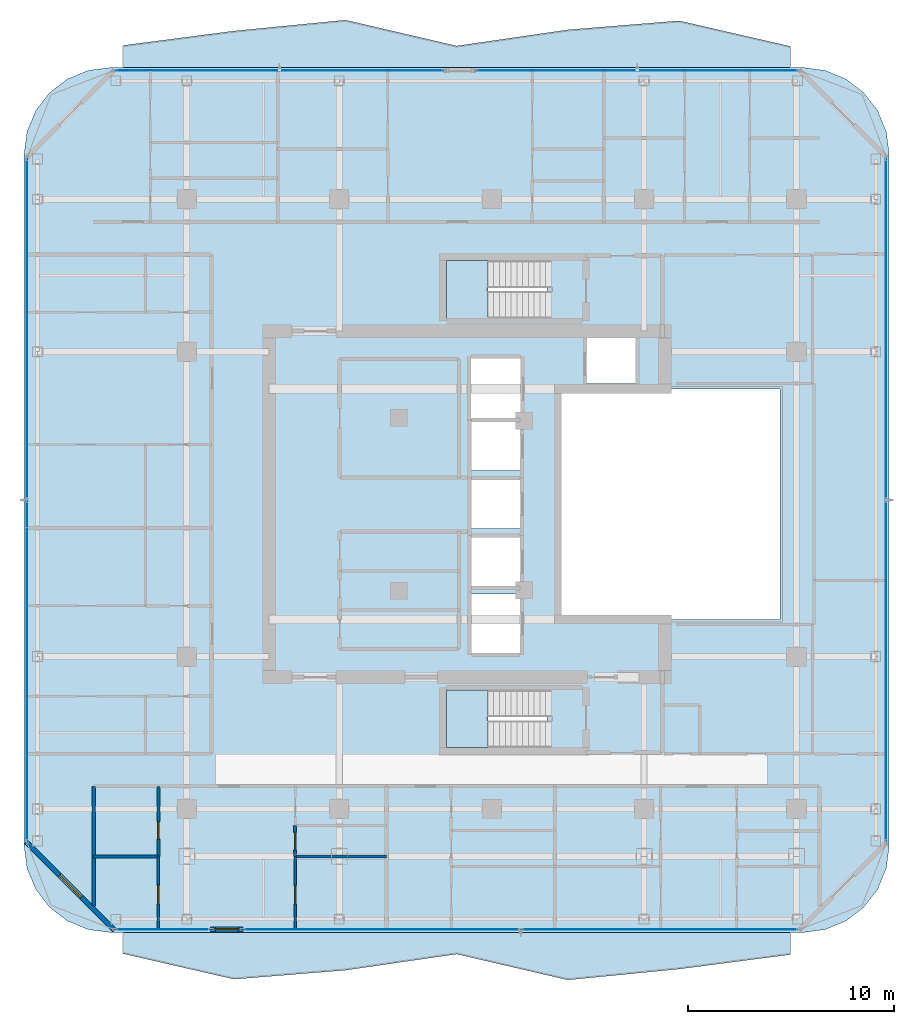
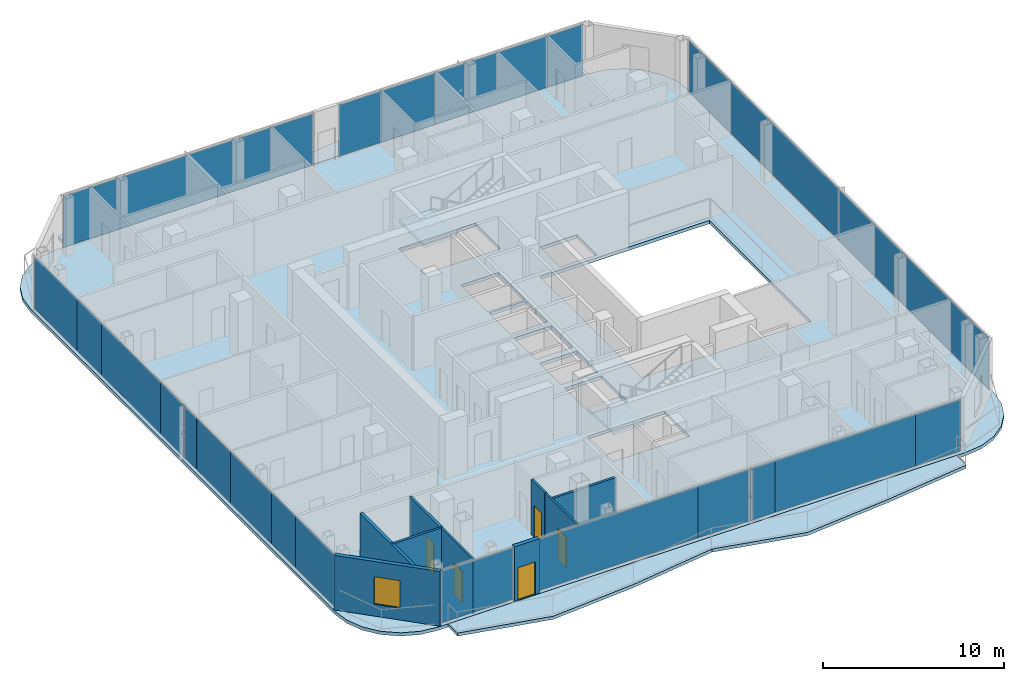
# One storey, part 16 of 26: 23 plates, 9 walls, 5 doors, 5 slabs, 1 window, 6 openings, 8 elements without a shape of their own.
"""IFC4 building model written with IfcOpenShell, lengths in metres."""

from ifc_helpers import new_model, si_unit, direction, frame, frame_2d, origin, origin_2d, place, context, subcontext, project, spatial, polyline, rectangle, outline, extrude, material, layer, layer_set, type_object, element, fill, aggregate, save


model = new_model("IFC4")

# Units and contexts
model_context = context("Model", 3, precision=1e-05, world=origin(), true_north=direction((0.0, 1.0)))
body_context = subcontext(model_context, "Body", "Model", "MODEL_VIEW")
ifc_project = project(units=[si_unit("LENGTHUNIT", "METRE"), si_unit("AREAUNIT", "SQUARE_METRE"), si_unit("VOLUMEUNIT", "CUBIC_METRE"), si_unit("PLANEANGLEUNIT", "RADIAN"), si_unit("MASSUNIT", "GRAM", prefix="KILO")], contexts=[model_context])

# Site, building, storey
site_placement = place(None, origin())
site = spatial("IfcSite", under=ifc_project, at=site_placement, CompositionType="ELEMENT")
building_placement = place(site_placement, origin())
building = spatial("IfcBuilding", under=site, at=building_placement, Name="Khorvyn Point Tower", CompositionType="ELEMENT")
storey_placement = place(building_placement, frame((0.0, 0.0, 289.800048828125)))
storey = spatial("IfcBuildingStorey", under=building, at=storey_placement, Name="L71", CompositionType="ELEMENT", Elevation=289.800048828125)

# Slabs
ifc_material_1 = material(Name="Concrete C35/45", Category="concrete")
ifc_layer_1 = layer(ifc_material_1, 0.219970703125)
ifc_layer_set_1 = layer_set([ifc_layer_1], Name="Concrete C35/45 Structural Floor Slab 220")
slab_type_1 = type_object("IfcSlabType", Name="Concrete C35/45 Structural Floor Slab 220", PredefinedType="FLOOR", material=ifc_layer_set_1)
slab_1_placement = place(storey_placement, frame((0.0, 0.0, -0.219970703125)))
element("IfcSlab", 1, at=slab_1_placement, inside=storey, type_object=slab_type_1, Name="L71 Main Structural Floor Slab", PredefinedType="FLOOR", context=body_context, shape_type="SweptSolid", body=[
    extrude(outline(polyline([(-18.5, -20.800048828125), (-19.5869140625, -20.656982421875), (-20.60009765625, -20.2373046875), (-21.4697265625, -19.56982421875), (-22.13720703125, -18.699951171875), (-22.556884765625, -17.68701171875), (-22.699951171875, -16.60009765625), (-22.699951171875, 17.0), (-22.556884765625, 18.0869140625), (-22.13720703125, 19.10009765625), (-21.4697265625, 19.9697265625), (-20.60009765625, 20.63720703125), (-19.5869140625, 21.056884765625), (-18.5, 21.199951171875), (15.10009765625, 21.199951171875), (16.18701171875, 21.056884765625), (17.199951171875, 20.63720703125), (18.06982421875, 19.9697265625), (18.7373046875, 19.10009765625), (19.156982421875, 18.0869140625), (19.300048828125, 17.0), (19.300048828125, -16.60009765625), (19.156982421875, -17.68701171875), (18.7373046875, -18.699951171875), (18.06982421875, -19.56982421875), (17.199951171875, -20.2373046875), (16.18701171875, -20.656982421875), (15.10009765625, -20.800048828125), (-18.5, -20.800048828125)]), holes=[polyline([(2.679931640625, -11.820068359375), (2.679931640625, -9.02001953125), (-2.199951171875, -9.02001953125), (-2.199951171875, -11.820068359375), (2.679931640625, -11.820068359375)]), polyline([(1.375, -7.22509765625), (1.375, -4.375), (-0.97509765625, -4.375), (-0.97509765625, -7.22509765625), (1.375, -7.22509765625)]), polyline([(1.375, -3.97509765625), (1.375, -1.625), (-0.97509765625, -1.625), (-0.97509765625, -3.97509765625), (1.375, -3.97509765625)]), polyline([(1.375, -1.175048828125), (1.375, 1.175048828125), (-0.97509765625, 1.175048828125), (-0.97509765625, -1.175048828125), (1.375, -1.175048828125)]), polyline([(14.0, -5.60009765625), (14.0, 5.60009765625), (3.199951171875, 5.60009765625), (3.199951171875, -5.60009765625), (14.0, -5.60009765625)]), polyline([(1.375, 1.625), (1.375, 3.97509765625), (-0.97509765625, 3.97509765625), (-0.97509765625, 1.625), (1.375, 1.625)]), polyline([(1.39990234375, 4.125), (1.39990234375, 7.074951171875), (-1.0, 7.074951171875), (-1.0, 4.125), (1.39990234375, 4.125)]), polyline([(4.625, 5.85009765625), (6.97509765625, 5.85009765625), (6.97509765625, 8.054931640625), (4.625, 8.054931640625), (4.625, 5.85009765625)]), polyline([(-2.199951171875, 9.02001953125), (2.679931640625, 9.02001953125), (2.679931640625, 11.820068359375), (-2.199951171875, 11.820068359375), (-2.199951171875, 9.02001953125)])]), origin(), (0.0, 0.0, 1.0), 0.219970703125),
])
ifc_material_2 = material(Name="Concrete C40/50", Category="concrete")
ifc_layer_2 = layer(ifc_material_2, 0.2099609375)
ifc_layer_set_2 = layer_set([ifc_layer_2], Name="Concrete C40/50 Rippling Balcony Slab 210")
slab_type_2 = type_object("IfcSlabType", Name="Concrete C40/50 Rippling Balcony Slab 210", PredefinedType="USERDEFINED", material=ifc_layer_set_2)
slab_2_placement = place(storey_placement, frame((0.0, 0.0, -0.2099609375)))
element("IfcSlab", 2, at=slab_2_placement, inside=storey, type_object=slab_type_2, Name="L71 North Sinusoidal Rippling Balcony", ObjectType="BALCONY", PredefinedType="USERDEFINED", context=body_context, shape_type="SweptSolid", body=[
    extrude(outline(polyline([(14.5, 21.199951171875), (14.5, 22.22802734375), (9.10009765625, 23.46875), (3.699951171875, 23.031005859375), (-1.699951171875, 22.247802734375), (-7.10009765625, 23.50390625), (-12.5, 22.974365234375), (-17.89990234375, 22.271484375), (-17.89990234375, 21.199951171875), (14.5, 21.199951171875)])), origin(), (0.0, 0.0, 1.0), 0.2099609375),
])
slab_3_placement = place(storey_placement, frame((0.0, 0.0, -0.2099609375)))
element("IfcSlab", 3, at=slab_3_placement, inside=storey, type_object=slab_type_2, Name="L71 South Sinusoidal Rippling Balcony", ObjectType="BALCONY", PredefinedType="USERDEFINED", context=body_context, shape_type="SweptSolid", body=[
    extrude(outline(polyline([(-17.89990234375, -20.800048828125), (-17.89990234375, -21.827880859375), (-12.5, -23.06884765625), (-7.10009765625, -22.630859375), (-1.699951171875, -21.84765625), (3.699951171875, -23.10400390625), (9.10009765625, -22.574462890625), (14.5, -21.87158203125), (14.5, -20.800048828125), (-17.89990234375, -20.800048828125)])), origin(), (0.0, 0.0, 1.0), 0.2099609375),
])

# Stair, slab
stair_type = type_object("IfcStairType", Name="Tower Concrete C40/50 Dogleg Exit Stair", PredefinedType="HALF_TURN_STAIR", material=ifc_material_2)
stair_1_placement = place(storey_placement, origin())
stair_1 = element("IfcStair", 4, at=stair_1_placement, inside=storey, type_object=stair_type, Name="L71 Tower Smokeproof Exit Stair South", PredefinedType="HALF_TURN_STAIR")
ifc_layer_3 = layer(ifc_material_2, 0.199951171875)
ifc_layer_set_3 = layer_set([ifc_layer_3], Name="Concrete C40/50 Stair Landing Slab 200")
slab_type_3 = type_object("IfcSlabType", Name="Concrete C40/50 Stair Landing Slab 200", PredefinedType="LANDING", material=ifc_layer_set_3)
slab_4_placement = place(storey_placement, frame((0.0, 0.0, 1.75)))
slab_4 = element("IfcSlab", 5, at=slab_4_placement, type_object=slab_type_3, Name="ST-01 landing 1", PredefinedType="LANDING", context=body_context, shape_type="SweptSolid", body=[
    extrude(outline(polyline([(-0.179931640625, -9.02001953125), (-2.199951171875, -9.02001953125), (-2.199951171875, -11.820068359375), (-0.179931640625, -11.820068359375), (-0.179931640625, -9.02001953125)])), origin(), (0.0, 0.0, 1.0), 0.199951171875),
])
aggregate(stair_1, [slab_4])

stair_2_placement = place(storey_placement, origin())
stair_2 = element("IfcStair", 6, at=stair_2_placement, inside=storey, type_object=stair_type, Name="L71 Tower Smokeproof Exit Stair North", PredefinedType="HALF_TURN_STAIR")
slab_5_placement = place(storey_placement, frame((0.0, 0.0, 1.75)))
slab_5 = element("IfcSlab", 7, at=slab_5_placement, type_object=slab_type_3, Name="ST-02 landing 1", PredefinedType="LANDING", context=body_context, shape_type="SweptSolid", body=[
    extrude(outline(polyline([(-0.179931640625, 11.820068359375), (-2.199951171875, 11.820068359375), (-2.199951171875, 9.02001953125), (-0.179931640625, 9.02001953125), (-0.179931640625, 11.820068359375)])), origin(), (0.0, 0.0, 1.0), 0.199951171875),
])
aggregate(stair_2, [slab_5])

# Curtain wall, plates
ifc_material_3 = material(Name="Anodised aluminium 6063-T6 and laminated Low-E glass", Category="aluminium")
ifc_layer_4 = layer(ifc_material_3, 0.18994140625)
ifc_layer_set_4 = layer_set([ifc_layer_4], Name="Stick-Built High-Wind Curtain Wall CW-SYS-04")
curtain_wall_type = type_object("IfcCurtainWallType", Name="Stick-Built High-Wind Curtain Wall CW-SYS-04", PredefinedType="NOTDEFINED", material=ifc_layer_set_4)
curtain_wall_1_placement = place(storey_placement, origin())
curtain_wall_1 = element("IfcCurtainWall", 8, at=curtain_wall_1_placement, inside=storey, type_object=curtain_wall_type, Name="Curtain Wall", PredefinedType="NOTDEFINED")
ifc_material_4 = material(Name="Laminated Low-E insulated glass", Category="glass")
ifc_layer_5 = layer(ifc_material_4, 0.028076171875)
ifc_layer_set_5 = layer_set([ifc_layer_5], Name="Tempered Low-E Vision Glazing Panel CW-GL28")
plate_type = type_object("IfcPlateType", Name="Tempered Low-E Vision Glazing Panel CW-GL28", PredefinedType="CURTAIN_PANEL", material=ifc_layer_set_5)
plate_1_placement = place(storey_placement, frame((2.22900390625, -20.64990234375, 0.099853515625), z_axis=(0.0, 0.0, 1.0), x_axis=(-1.0, 0.0, 0.0)))
plate_1 = element("IfcPlate", 9, at=plate_1_placement, type_object=plate_type, Name="Panel", PredefinedType="CURTAIN_PANEL", context=body_context, shape_type="SweptSolid", body=[
    extrude(rectangle(XDim=1.5400390625, YDim=0.028076171875, at=origin_2d()), origin(), (0.0, 0.0, 1.0), 3.47998046875),
])
plate_2_placement = place(storey_placement, frame((7.485595703125, -20.64990234375, 0.099853515625), z_axis=(0.0, 0.0, 1.0), x_axis=(-1.0, 0.0, 0.0)))
plate_2 = element("IfcPlate", 10, at=plate_2_placement, type_object=plate_type, Name="Panel", PredefinedType="CURTAIN_PANEL", context=body_context, shape_type="SweptSolid", body=[
    extrude(rectangle(XDim=8.95703125, YDim=0.028076171875, at=origin_2d()), origin(), (0.0, 0.0, 1.0), 3.47998046875),
])
plate_3_placement = place(storey_placement, frame((13.408935546875, -20.64990234375, 0.099853515625), z_axis=(0.0, 0.0, 1.0), x_axis=(-1.0, 0.0, 0.0)))
plate_3 = element("IfcPlate", 11, at=plate_3_placement, type_object=plate_type, Name="Panel", PredefinedType="CURTAIN_PANEL", context=body_context, shape_type="SweptSolid", body=[
    extrude(rectangle(XDim=2.8740234375, YDim=0.028076171875, at=origin_2d()), origin(), (0.0, 0.0, 1.0), 3.47998046875),
])
plate_4_placement = place(storey_placement, frame((-6.972412109375, -20.64990234375, 0.099853515625), z_axis=(0.0, 0.0, 1.0), x_axis=(-1.0, 0.0, 0.0)))
plate_4 = element("IfcPlate", 12, at=plate_4_placement, type_object=plate_type, Name="Panel", PredefinedType="CURTAIN_PANEL", context=body_context, shape_type="SweptSolid", body=[
    extrude(rectangle(XDim=10.126953125, YDim=0.028076171875, at=origin_2d()), origin(), (0.0, 0.0, 1.0), 3.47998046875),
])
plate_5_placement = place(storey_placement, frame((-0.27490234375, -20.64990234375, 0.099853515625), z_axis=(0.0, 0.0, 1.0), x_axis=(-1.0, 0.0, 0.0)))
plate_5 = element("IfcPlate", 13, at=plate_5_placement, type_object=plate_type, Name="Panel", PredefinedType="CURTAIN_PANEL", context=body_context, shape_type="SweptSolid", body=[
    extrude(rectangle(XDim=3.251953125, YDim=0.028076171875, at=origin_2d()), origin(), (0.0, 0.0, 1.0), 3.47998046875),
])
aggregate(curtain_wall_1, [plate_1, plate_2, plate_3, plate_4, plate_5])

curtain_wall_2_placement = place(storey_placement, origin())
curtain_wall_2 = element("IfcCurtainWall", 14, at=curtain_wall_2_placement, inside=storey, type_object=curtain_wall_type, Name="Curtain Wall", PredefinedType="NOTDEFINED")
plate_6_placement = place(storey_placement, frame((-17.244384765625, -20.64990234375, 0.099853515625), z_axis=(0.0, 0.0, 1.0), x_axis=(-1.0, 0.0, 0.0)))
plate_6 = element("IfcPlate", 15, at=plate_6_placement, type_object=plate_type, Name="Panel", PredefinedType="CURTAIN_PANEL", context=body_context, shape_type="SweptSolid", body=[
    extrude(rectangle(XDim=2.0029296875, YDim=0.028076171875, at=origin_2d()), origin(), (0.0, 0.0, 1.0), 3.47998046875),
])
plate_7_placement = place(storey_placement, frame((-14.95947265625, -20.64990234375, 0.099853515625), z_axis=(0.0, 0.0, 1.0), x_axis=(-1.0, 0.0, 0.0)))
plate_7 = element("IfcPlate", 16, at=plate_7_placement, type_object=plate_type, Name="Panel", PredefinedType="CURTAIN_PANEL", context=body_context, shape_type="SweptSolid", body=[
    extrude(rectangle(XDim=2.551025390625, YDim=0.028076171875, at=origin_2d()), origin(), (0.0, 0.0, 1.0), 3.47998046875),
])
aggregate(curtain_wall_2, [plate_6, plate_7])

# Curtain wall, plate
curtain_wall_3_placement = place(storey_placement, origin())
curtain_wall_3 = element("IfcCurtainWall", 17, at=curtain_wall_3_placement, inside=storey, type_object=curtain_wall_type, Name="Curtain Wall", PredefinedType="NOTDEFINED")
plate_8_placement = place(storey_placement, frame((-10.304931640625, 21.050048828125, 0.099853515625), z_axis=(0.0, 0.0, 1.0), x_axis=(1.0, 0.0, 0.0)))
plate_8 = element("IfcPlate", 18, at=plate_8_placement, type_object=plate_type, Name="Panel", PredefinedType="CURTAIN_PANEL", context=body_context, shape_type="SweptSolid", body=[
    extrude(rectangle(XDim=15.889892578125, YDim=0.028076171875, at=origin_2d()), origin(), (0.0, 0.0, 1.0), 3.47998046875),
])
aggregate(curtain_wall_3, [plate_8])

# Curtain wall, plates
curtain_wall_4_placement = place(storey_placement, origin())
curtain_wall_4 = element("IfcCurtainWall", 19, at=curtain_wall_4_placement, inside=storey, type_object=curtain_wall_type, Name="Curtain Wall", PredefinedType="NOTDEFINED")
plate_9_placement = place(storey_placement, frame((0.64990234375, 21.050048828125, 0.099853515625), z_axis=(0.0, 0.0, 1.0), x_axis=(1.0, 0.0, 0.0)))
plate_9 = element("IfcPlate", 20, at=plate_9_placement, type_object=plate_type, Name="Panel", PredefinedType="CURTAIN_PANEL", context=body_context, shape_type="SweptSolid", body=[
    extrude(rectangle(XDim=2.73193359375, YDim=0.028076171875, at=origin_2d()), origin(), (0.0, 0.0, 1.0), 3.47998046875),
])
plate_10_placement = place(storey_placement, frame((3.700927734375, 21.050048828125, 0.099853515625), z_axis=(0.0, 0.0, 1.0), x_axis=(1.0, 0.0, 0.0)))
plate_10 = element("IfcPlate", 21, at=plate_10_placement, type_object=plate_type, Name="Panel", PredefinedType="CURTAIN_PANEL", context=body_context, shape_type="SweptSolid", body=[
    extrude(rectangle(XDim=3.35400390625, YDim=0.028076171875, at=origin_2d()), origin(), (0.0, 0.0, 1.0), 3.47998046875),
])
plate_11_placement = place(storey_placement, frame((8.984619140625, 21.050048828125, 0.099853515625), z_axis=(0.0, 0.0, 1.0), x_axis=(1.0, 0.0, 0.0)))
plate_11 = element("IfcPlate", 22, at=plate_11_placement, type_object=plate_type, Name="Panel", PredefinedType="CURTAIN_PANEL", context=body_context, shape_type="SweptSolid", body=[
    extrude(rectangle(XDim=7.197021484375, YDim=0.028076171875, at=origin_2d()), origin(), (0.0, 0.0, 1.0), 3.47998046875),
])
plate_12_placement = place(storey_placement, frame((13.718505859375, 21.050048828125, 0.099853515625), z_axis=(0.0, 0.0, 1.0), x_axis=(1.0, 0.0, 0.0)))
plate_12 = element("IfcPlate", 23, at=plate_12_placement, type_object=plate_type, Name="Panel", PredefinedType="CURTAIN_PANEL", context=body_context, shape_type="SweptSolid", body=[
    extrude(rectangle(XDim=2.2548828125, YDim=0.028076171875, at=origin_2d()), origin(), (0.0, 0.0, 1.0), 3.47998046875),
])
aggregate(curtain_wall_4, [plate_9, plate_10, plate_11, plate_12])

curtain_wall_5_placement = place(storey_placement, origin())
curtain_wall_5 = element("IfcCurtainWall", 24, at=curtain_wall_5_placement, inside=storey, type_object=curtain_wall_type, Name="Curtain Wall", PredefinedType="NOTDEFINED")
plate_13_placement = place(storey_placement, frame((-22.550048828125, -14.205078125, 0.099853515625), z_axis=(0.0, 0.0, 1.0), x_axis=(0.0, 1.0, 0.0)))
plate_13 = element("IfcPlate", 25, at=plate_13_placement, type_object=plate_type, Name="Panel", PredefinedType="CURTAIN_PANEL", context=body_context, shape_type="SweptSolid", body=[
    extrude(rectangle(XDim=4.281982421875, YDim=0.028076171875, at=origin_2d()), origin(), (0.0, 0.0, 1.0), 3.47998046875),
])
plate_14_placement = place(storey_placement, frame((-22.550048828125, -10.719970703125, 0.099853515625), z_axis=(0.0, 0.0, 1.0), x_axis=(0.0, 1.0, 0.0)))
plate_14 = element("IfcPlate", 26, at=plate_14_placement, type_object=plate_type, Name="Panel", PredefinedType="CURTAIN_PANEL", context=body_context, shape_type="SweptSolid", body=[
    extrude(rectangle(XDim=2.672119140625, YDim=0.028076171875, at=origin_2d()), origin(), (0.0, 0.0, 1.0), 3.47998046875),
])
plate_15_placement = place(storey_placement, frame((-22.550048828125, -7.12939453125, 0.099853515625), z_axis=(0.0, 0.0, 1.0), x_axis=(0.0, 1.0, 0.0)))
plate_15 = element("IfcPlate", 27, at=plate_15_placement, type_object=plate_type, Name="Panel", PredefinedType="CURTAIN_PANEL", context=body_context, shape_type="SweptSolid", body=[
    extrude(rectangle(XDim=4.492919921875, YDim=0.028076171875, at=origin_2d()), origin(), (0.0, 0.0, 1.0), 3.47998046875),
])
plate_16_placement = place(storey_placement, frame((-22.550048828125, -3.051513671875, 0.099853515625), z_axis=(0.0, 0.0, 1.0), x_axis=(0.0, 1.0, 0.0)))
plate_16 = element("IfcPlate", 28, at=plate_16_placement, type_object=plate_type, Name="Panel", PredefinedType="CURTAIN_PANEL", context=body_context, shape_type="SweptSolid", body=[
    extrude(rectangle(XDim=3.64697265625, YDim=0.028076171875, at=origin_2d()), origin(), (0.0, 0.0, 1.0), 3.47998046875),
])
plate_17_placement = place(storey_placement, frame((-22.550048828125, -0.47705078125, 0.099853515625), z_axis=(0.0, 0.0, 1.0), x_axis=(0.0, 1.0, 0.0)))
plate_17 = element("IfcPlate", 29, at=plate_17_placement, type_object=plate_type, Name="Panel", PredefinedType="CURTAIN_PANEL", context=body_context, shape_type="SweptSolid", body=[
    extrude(rectangle(XDim=1.24609375, YDim=0.028076171875, at=origin_2d()), origin(), (0.0, 0.0, 1.0), 3.47998046875),
])
plate_18_placement = place(storey_placement, frame((-22.550048828125, 1.5419921875, 0.099853515625), z_axis=(0.0, 0.0, 1.0), x_axis=(0.0, 1.0, 0.0)))
plate_18 = element("IfcPlate", 30, at=plate_18_placement, type_object=plate_type, Name="Panel", PredefinedType="CURTAIN_PANEL", context=body_context, shape_type="SweptSolid", body=[
    extrude(rectangle(XDim=2.575927734375, YDim=0.028076171875, at=origin_2d()), origin(), (0.0, 0.0, 1.0), 3.47998046875),
])
plate_19_placement = place(storey_placement, frame((-22.550048828125, 6.10693359375, 0.099853515625), z_axis=(0.0, 0.0, 1.0), x_axis=(0.0, 1.0, 0.0)))
plate_19 = element("IfcPlate", 31, at=plate_19_placement, type_object=plate_type, Name="Panel", PredefinedType="CURTAIN_PANEL", context=body_context, shape_type="SweptSolid", body=[
    extrude(rectangle(XDim=6.5380859375, YDim=0.028076171875, at=origin_2d()), origin(), (0.0, 0.0, 1.0), 3.47998046875),
])
plate_20_placement = place(storey_placement, frame((-22.550048828125, 10.719970703125, 0.099853515625), z_axis=(0.0, 0.0, 1.0), x_axis=(0.0, 1.0, 0.0)))
plate_20 = element("IfcPlate", 32, at=plate_20_placement, type_object=plate_type, Name="Panel", PredefinedType="CURTAIN_PANEL", context=body_context, shape_type="SweptSolid", body=[
    extrude(rectangle(XDim=2.672119140625, YDim=0.028076171875, at=origin_2d()), origin(), (0.0, 0.0, 1.0), 3.47998046875),
])
plate_21_placement = place(storey_placement, frame((-22.550048828125, 14.405029296875, 0.099853515625), z_axis=(0.0, 0.0, 1.0), x_axis=(0.0, 1.0, 0.0)))
plate_21 = element("IfcPlate", 33, at=plate_21_placement, type_object=plate_type, Name="Panel", PredefinedType="CURTAIN_PANEL", context=body_context, shape_type="SweptSolid", body=[
    extrude(rectangle(XDim=4.681884765625, YDim=0.028076171875, at=origin_2d()), origin(), (0.0, 0.0, 1.0), 3.47998046875),
])
aggregate(curtain_wall_5, [plate_13, plate_14, plate_15, plate_16, plate_17, plate_18, plate_19, plate_20, plate_21])

curtain_wall_6_placement = place(storey_placement, origin())
curtain_wall_6 = element("IfcCurtainWall", 34, at=curtain_wall_6_placement, inside=storey, type_object=curtain_wall_type, Name="Curtain Wall", PredefinedType="NOTDEFINED")
plate_22_placement = place(storey_placement, frame((19.14990234375, 8.5, 0.099853515625), z_axis=(0.0, 0.0, 1.0), x_axis=(0.0, -1.0, 0.0)))
plate_22 = element("IfcPlate", 35, at=plate_22_placement, type_object=plate_type, Name="Panel", PredefinedType="CURTAIN_PANEL", context=body_context, shape_type="SweptSolid", body=[
    extrude(rectangle(XDim=16.5, YDim=0.028076171875, at=origin_2d()), origin(), (0.0, 0.0, 1.0), 3.47998046875),
])
plate_23_placement = place(storey_placement, frame((19.14990234375, -8.10009765625, 0.099853515625), z_axis=(0.0, 0.0, 1.0), x_axis=(0.0, -1.0, 0.0)))
plate_23 = element("IfcPlate", 36, at=plate_23_placement, type_object=plate_type, Name="Panel", PredefinedType="CURTAIN_PANEL", context=body_context, shape_type="SweptSolid", body=[
    extrude(rectangle(XDim=16.5, YDim=0.028076171875, at=origin_2d()), origin(), (0.0, 0.0, 1.0), 3.47998046875),
])
aggregate(curtain_wall_6, [plate_22, plate_23])

# Wall
ifc_material_5 = material(Name="Double acoustic gypsum on twin steel stud", Category="steel")
ifc_layer_6 = layer(ifc_material_5, 0.179931640625)
ifc_layer_set_6 = layer_set([ifc_layer_6], Name="Acoustic Double-Stud Apartment Demising Wall 180")
wall_type_1 = type_object("IfcWallType", Name="Acoustic Double-Stud Apartment Demising Wall 180", PredefinedType="PARTITIONING", material=ifc_layer_set_6)
wall_1_placement = place(storey_placement, frame((-19.320068359375, -19.510009765625, 0.0), z_axis=(0.0, 0.0, 1.0), x_axis=(0.0, 1.0, 0.0)))
element("IfcWall", 37, at=wall_1_placement, inside=storey, type_object=wall_type_1, Name="Wall", PredefinedType="PARTITIONING", context=body_context, shape_type="SweptSolid", body=[
    extrude(rectangle(XDim=5.81005859375, YDim=0.179931640625, at=frame_2d((2.905029296875, 0.0))), origin(), (0.0, 0.0, 1.0), 3.679931640625),
])

# Wall, opening, door
ifc_material_6 = material(Name="Pale anodised aluminium rainscreen on steel stud", Category="steel")
ifc_layer_7 = layer(ifc_material_6, 0.239990234375)
ifc_layer_set_7 = layer_set([ifc_layer_7], Name="Anodised Aluminium Insulated Corner Spandrel Wall 240")
wall_type_2 = type_object("IfcWallType", Name="Anodised Aluminium Insulated Corner Spandrel Wall 240", PredefinedType="SOLIDWALL", material=ifc_layer_set_7)
wall_2_placement = place(storey_placement, frame((-12.070068359375, -20.64990234375, 0.0), z_axis=(0.0, 0.0, 1.0), x_axis=(-1.0, 0.0, 0.0)))
wall_2 = element("IfcWall", 38, at=wall_2_placement, inside=storey, type_object=wall_type_2, Name="L71 South Outdoor Threshold Wall", PredefinedType="SOLIDWALL", context=body_context, shape_type="SweptSolid", body=[
    extrude(rectangle(XDim=1.579833984375, YDim=0.239990234375, at=frame_2d((0.7900390625, 0.0))), origin(), (0.0, 0.0, 1.0), 3.679931640625),
])
opening_1_placement = place(wall_2_placement, frame((0.239990234375, 0.0, 0.0)))
opening_1 = element("IfcOpeningElement", 39, at=opening_1_placement, cuts=wall_2, Name="Opening BD-1122", PredefinedType="OPENING", context=body_context, shape_type="SweptSolid", body=[
    extrude(rectangle(XDim=1.10009765625, YDim=2.199951171875, at=frame_2d((0.550048828125, 1.10009765625))), frame((0.0, 0.1298828125, 0.0), z_axis=(0.0, -1.0, 0.0), x_axis=(1.0, 0.0, 0.0)), (0.0, 0.0, 1.0), 0.260009765625),
])
door_type_1 = type_object("IfcDoorType", Name="Glazed Balcony and Terrace Threshold Door 1100x2200", OperationType="NOTDEFINED", PredefinedType="DOOR", material=ifc_material_3)
door_1_placement = place(opening_1_placement, origin())
door_1 = element("IfcDoor", 40, at=door_1_placement, inside=storey, type_object=door_type_1, Name="L71 South Glazed Balcony Outdoor Door", OperationType="SINGLE_SWING_LEFT", OverallHeight=2.199951171875, OverallWidth=1.10009765625, PredefinedType="DOOR", context=body_context, shape_type="SweptSolid", body=[
    extrude(rectangle(XDim=1.10009765625, YDim=2.199951171875, at=frame_2d((0.550048828125, 1.10009765625))), frame((0.0, 0.02490234375, 0.0), z_axis=(0.0, -1.0, 0.0), x_axis=(1.0, 0.0, 0.0)), (0.0, 0.0, 1.0), 0.050048828125),
])
fill(opening_1, door_1)

# Wall, opening, window
wall_3_placement = place(storey_placement, frame((-18.3076171875, -20.6923828125, 0.0), z_axis=(0.0, 0.0, 1.0), x_axis=(-0.707106781187, 0.707106781187, 0.0)))
wall_3 = element("IfcWall", 41, at=wall_3_placement, inside=storey, type_object=wall_type_2, Name="L71 Rounded Corner Wall SW", PredefinedType="SOLIDWALL", context=body_context, shape_type="SweptSolid", body=[
    extrude(rectangle(XDim=6.059326171875, YDim=0.239990234375, at=frame_2d((3.02978515625, 0.0))), origin(), (0.0, 0.0, 1.0), 3.679931640625),
])
opening_2_placement = place(wall_3_placement, frame((2.27978515625, 0.0, 0.800048828125)))
opening_2 = element("IfcOpeningElement", 42, at=opening_2_placement, cuts=wall_3, Name="Opening WN-1518", PredefinedType="OPENING", context=body_context, shape_type="SweptSolid", body=[
    extrude(rectangle(XDim=1.5, YDim=1.85009765625, at=frame_2d((0.75, 0.925048828125))), frame((0.0, 0.1298828125, 0.0), z_axis=(0.0, -1.0, 0.0), x_axis=(1.0, 0.0, 0.0)), (0.0, 0.0, 1.0), 0.260009765625),
])
window_type = type_object("IfcWindowType", Name="Anodised Aluminium Rounded-Corner Panoramic Window 1500x1850", PartitioningType="SINGLE_PANEL", PredefinedType="WINDOW", material=ifc_material_3)
window_placement = place(opening_2_placement, origin())
window = element("IfcWindow", 43, at=window_placement, inside=storey, type_object=window_type, Name="L71 Corner Panoramic Window SW", OverallHeight=1.85009765625, OverallWidth=1.5, PartitioningType="SINGLE_PANEL", PredefinedType="WINDOW", context=body_context, shape_type="SweptSolid", body=[
    extrude(rectangle(XDim=1.5, YDim=1.85009765625, at=frame_2d((0.75, 0.925048828125))), frame((0.0, 0.030029296875, 0.0), z_axis=(0.0, -1.0, 0.0), x_axis=(1.0, 0.0, 0.0)), (0.0, 0.0, 1.0), 0.06005859375),
])
fill(opening_2, window)

# Wall, opening, door
ifc_material_7 = material(Name="Gypsum plasterboard on steel stud", Category="steel")
ifc_layer_8 = layer(ifc_material_7, 0.1201171875)
ifc_layer_set_8 = layer_set([ifc_layer_8], Name="Gypsum Acoustic Stud Room Partition Wall 120")
wall_type_3 = type_object("IfcWallType", Name="Gypsum Acoustic Stud Room Partition Wall 120", PredefinedType="PARTITIONING", material=ifc_layer_set_8)
wall_4_placement = place(storey_placement, frame((-16.178955078125, -20.6298828125, 0.0), z_axis=(0.0, 0.0, 1.0), x_axis=(0.0, 1.0, 0.0)))
wall_4 = element("IfcWall", 44, at=wall_4_placement, inside=storey, type_object=wall_type_3, Name="Wall", PredefinedType="PARTITIONING", context=body_context, shape_type="SweptSolid", body=[
    extrude(rectangle(XDim=3.52197265625, YDim=0.1201171875, at=frame_2d((1.760986328125, 0.0))), origin(), (0.0, 0.0, 1.0), 3.679931640625),
])
opening_3_placement = place(wall_4_placement, frame((1.222412109375, 0.0, 0.0)))
opening_3 = element("IfcOpeningElement", 45, at=opening_3_placement, cuts=wall_4, Name="Opening ID-RM90", PredefinedType="OPENING", context=body_context, shape_type="SweptSolid", body=[
    extrude(rectangle(XDim=0.89990234375, YDim=2.10009765625, at=frame_2d((0.449951171875, 1.050048828125))), frame((0.0, 0.070068359375, 0.0), z_axis=(0.0, -1.0, 0.0), x_axis=(1.0, 0.0, 0.0)), (0.0, 0.0, 1.0), 0.14013671875),
])
ifc_material_8 = material(Name="Engineered oak veneer timber", Category="wood")
door_type_2 = type_object("IfcDoorType", Name="Flush Engineered Timber Room Door 900x2100", OperationType="NOTDEFINED", PredefinedType="DOOR", material=ifc_material_8)
door_2_placement = place(opening_3_placement, origin())
door_2 = element("IfcDoor", 46, at=door_2_placement, inside=storey, type_object=door_type_2, Name="Door", OperationType="SINGLE_SWING_LEFT", OverallHeight=2.10009765625, OverallWidth=0.89990234375, PredefinedType="DOOR", context=body_context, shape_type="SweptSolid", body=[
    extrude(rectangle(XDim=0.89990234375, YDim=2.10009765625, at=frame_2d((0.449951171875, 1.050048828125))), frame((0.0, 0.02490234375, 0.0), z_axis=(0.0, -1.0, 0.0), x_axis=(1.0, 0.0, 0.0)), (0.0, 0.0, 1.0), 0.050048828125),
])
fill(opening_3, door_2)

wall_5_placement = place(storey_placement, frame((-9.541015625, -20.6298828125, 0.0), z_axis=(0.0, 0.0, 1.0), x_axis=(0.0, 1.0, 0.0)))
wall_5 = element("IfcWall", 47, at=wall_5_placement, inside=storey, type_object=wall_type_3, Name="Wall", PredefinedType="PARTITIONING", context=body_context, shape_type="SweptSolid", body=[
    extrude(rectangle(XDim=3.52197265625, YDim=0.1201171875, at=frame_2d((1.760986328125, 0.0))), origin(), (0.0, 0.0, 1.0), 3.679931640625),
])
opening_4_placement = place(wall_5_placement, frame((1.222412109375, 0.0, 0.0)))
opening_4 = element("IfcOpeningElement", 48, at=opening_4_placement, cuts=wall_5, Name="Opening ID-RM90", PredefinedType="OPENING", context=body_context, shape_type="SweptSolid", body=[
    extrude(rectangle(XDim=0.89990234375, YDim=2.10009765625, at=frame_2d((0.449951171875, 1.050048828125))), frame((0.0, 0.070068359375, 0.0), z_axis=(0.0, -1.0, 0.0), x_axis=(1.0, 0.0, 0.0)), (0.0, 0.0, 1.0), 0.14013671875),
])
door_3_placement = place(opening_4_placement, origin())
door_3 = element("IfcDoor", 49, at=door_3_placement, inside=storey, type_object=door_type_2, Name="Door", OperationType="SINGLE_SWING_RIGHT", OverallHeight=2.10009765625, OverallWidth=0.89990234375, PredefinedType="DOOR", context=body_context, shape_type="SweptSolid", body=[
    extrude(rectangle(XDim=0.89990234375, YDim=2.10009765625, at=frame_2d((0.449951171875, 1.050048828125))), frame((0.0, 0.02490234375, 0.0), z_axis=(0.0, -1.0, 0.0), x_axis=(1.0, 0.0, 0.0)), (0.0, 0.0, 1.0), 0.050048828125),
])
fill(opening_4, door_3)

ifc_material_9 = material(Name="Moisture-resistant gypsum and cement board", Category="gypsum")
ifc_layer_9 = layer(ifc_material_9, 0.14990234375)
ifc_layer_set_9 = layer_set([ifc_layer_9], Name="Moisture-Resistant Wet-Room Partition Wall 150")
wall_type_4 = type_object("IfcWallType", Name="Moisture-Resistant Wet-Room Partition Wall 150", PredefinedType="PARTITIONING", material=ifc_layer_set_9)
wall_6_placement = place(storey_placement, frame((-16.178955078125, -17.10791015625, 0.0), z_axis=(0.0, 0.0, 1.0), x_axis=(0.0, 1.0, 0.0)))
wall_6 = element("IfcWall", 50, at=wall_6_placement, inside=storey, type_object=wall_type_4, Name="Wall", PredefinedType="PARTITIONING", context=body_context, shape_type="SweptSolid", body=[
    extrude(rectangle(XDim=3.407958984375, YDim=0.14990234375, at=frame_2d((1.7041015625, 0.0))), origin(), (0.0, 0.0, 1.0), 3.679931640625),
])
opening_5_placement = place(wall_6_placement, frame((0.8486328125, 0.0, 0.0)))
opening_5 = element("IfcOpeningElement", 51, at=opening_5_placement, cuts=wall_6, Name="Opening ID-WC85", PredefinedType="OPENING", context=body_context, shape_type="SweptSolid", body=[
    extrude(rectangle(XDim=0.85009765625, YDim=2.10009765625, at=frame_2d((0.425048828125, 1.050048828125))), frame((0.0, 0.0849609375, 0.0), z_axis=(0.0, -1.0, 0.0), x_axis=(1.0, 0.0, 0.0)), (0.0, 0.0, 1.0), 0.169921875),
])
ifc_material_10 = material(Name="High-pressure laminate on moisture-resistant core", Category="wood")
door_type_3 = type_object("IfcDoorType", Name="Moisture-Resistant Accessible Washroom Door 850x2100", OperationType="NOTDEFINED", PredefinedType="DOOR", material=ifc_material_10)
door_4_placement = place(opening_5_placement, origin())
door_4 = element("IfcDoor", 52, at=door_4_placement, inside=storey, type_object=door_type_3, Name="Door", OperationType="SINGLE_SWING_RIGHT", OverallHeight=2.10009765625, OverallWidth=0.85009765625, PredefinedType="DOOR", context=body_context, shape_type="SweptSolid", body=[
    extrude(rectangle(XDim=0.85009765625, YDim=2.10009765625, at=frame_2d((0.425048828125, 1.050048828125))), frame((0.0, 0.02490234375, 0.0), z_axis=(0.0, -1.0, 0.0), x_axis=(1.0, 0.0, 0.0)), (0.0, 0.0, 1.0), 0.050048828125),
])
fill(opening_5, door_4)

wall_7_placement = place(storey_placement, frame((-9.541015625, -17.10791015625, 0.0), z_axis=(0.0, 0.0, 1.0), x_axis=(0.0, 1.0, 0.0)))
wall_7 = element("IfcWall", 53, at=wall_7_placement, inside=storey, type_object=wall_type_4, Name="Wall", PredefinedType="PARTITIONING", context=body_context, shape_type="SweptSolid", body=[
    extrude(rectangle(XDim=1.5, YDim=0.14990234375, at=frame_2d((0.75, 0.0))), origin(), (0.0, 0.0, 1.0), 3.679931640625),
])
opening_6_placement = place(wall_7_placement, frame((0.324951171875, 0.0, 0.0)))
opening_6 = element("IfcOpeningElement", 54, at=opening_6_placement, cuts=wall_7, Name="Opening ID-WC85", PredefinedType="OPENING", context=body_context, shape_type="SweptSolid", body=[
    extrude(rectangle(XDim=0.85009765625, YDim=2.10009765625, at=frame_2d((0.425048828125, 1.050048828125))), frame((0.0, 0.0849609375, 0.0), z_axis=(0.0, -1.0, 0.0), x_axis=(1.0, 0.0, 0.0)), (0.0, 0.0, 1.0), 0.169921875),
])
door_5_placement = place(opening_6_placement, origin())
door_5 = element("IfcDoor", 55, at=door_5_placement, inside=storey, type_object=door_type_3, Name="Door", OperationType="SINGLE_SWING_RIGHT", OverallHeight=2.10009765625, OverallWidth=0.85009765625, PredefinedType="DOOR", context=body_context, shape_type="SweptSolid", body=[
    extrude(rectangle(XDim=0.85009765625, YDim=2.10009765625, at=frame_2d((0.425048828125, 1.050048828125))), frame((0.0, 0.02490234375, 0.0), z_axis=(0.0, -1.0, 0.0), x_axis=(1.0, 0.0, 0.0)), (0.0, 0.0, 1.0), 0.050048828125),
])
fill(opening_6, door_5)

# Walls
wall_8_placement = place(storey_placement, frame((-19.320068359375, -17.10791015625, 0.0), z_axis=(0.0, 0.0, 1.0), x_axis=(1.0, 0.0, 0.0)))
element("IfcWall", 56, at=wall_8_placement, inside=storey, type_object=wall_type_4, Name="Wall", PredefinedType="PARTITIONING", context=body_context, shape_type="SweptSolid", body=[
    extrude(rectangle(XDim=3.14111328125, YDim=0.14990234375, at=frame_2d((1.570556640625, 0.0))), origin(), (0.0, 0.0, 1.0), 3.679931640625),
])
wall_9_placement = place(storey_placement, frame((-9.541015625, -17.10791015625, 0.0), z_axis=(0.0, 0.0, 1.0), x_axis=(1.0, 0.0, 0.0)))
element("IfcWall", 57, at=wall_9_placement, inside=storey, type_object=wall_type_4, Name="Wall", PredefinedType="PARTITIONING", context=body_context, shape_type="SweptSolid", body=[
    extrude(rectangle(XDim=4.43408203125, YDim=0.14990234375, at=frame_2d((2.217041015625, 0.0))), origin(), (0.0, 0.0, 1.0), 3.181884765625),
])

save(model, "model.ifc")
